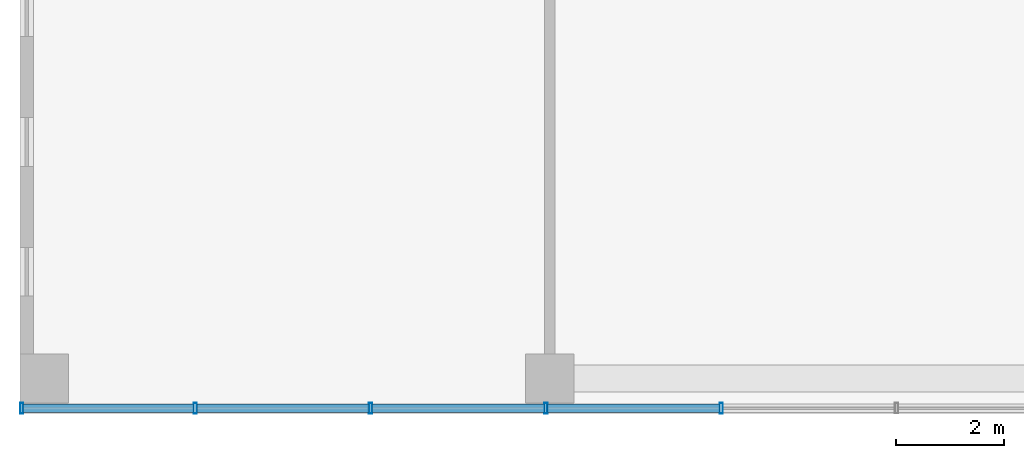
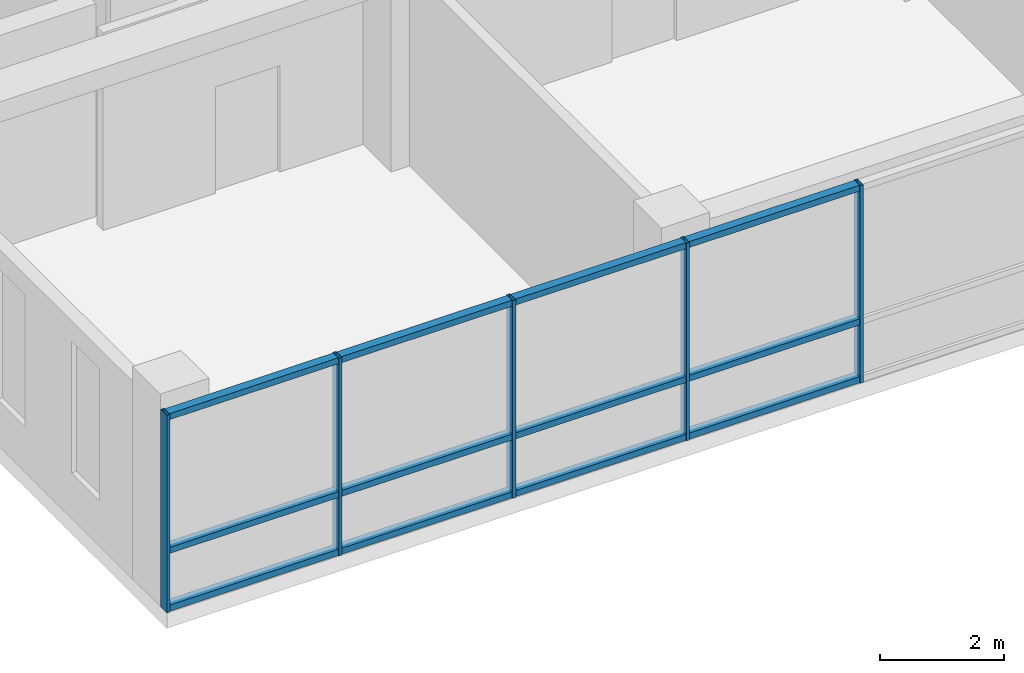
# One storey, part 2 of 36: 17 members, 1 element without a shape of its own.
"""IFC4 building model written with IfcOpenShell, lengths in metres."""

from ifc_helpers import new_model, si_unit, direction, frame, origin, origin_2d, place, context, subcontext, project, spatial, hollow_rectangle, extrude, material, layer, layer_set, material_profile, profile_set, type_object, element, aggregate, save


model = new_model("IFC4")

# Units and contexts
model_context = context("Model", 3, precision=1e-05, world=origin(), true_north=direction((0.0, 1.0)))
body_context = subcontext(model_context, "Body", "Model", "MODEL_VIEW")
ifc_project = project(units=[si_unit("LENGTHUNIT", "METRE"), si_unit("AREAUNIT", "SQUARE_METRE"), si_unit("VOLUMEUNIT", "CUBIC_METRE"), si_unit("PLANEANGLEUNIT", "RADIAN"), si_unit("MASSUNIT", "GRAM", prefix="KILO")], contexts=[model_context])

# Site, building, storey
site_placement = place(None, origin())
site = spatial("IfcSite", under=ifc_project, at=site_placement, CompositionType="ELEMENT")
building_placement = place(site_placement, origin())
building = spatial("IfcBuilding", under=site, at=building_placement, Name="Nzadi Deep Aquarium and Research Tower", CompositionType="ELEMENT")
storey_placement = place(building_placement, frame((0.0, 0.0, 36.10009765625)))
storey = spatial("IfcBuildingStorey", under=building, at=storey_placement, Name="L06", CompositionType="ELEMENT", Elevation=36.10009765625)

# Curtain wall, members
ifc_material_1 = material(Name="Aluminium unitised frame", Category="aluminium")
ifc_layer = layer(ifc_material_1, 0.199951171875)
ifc_layer_set = layer_set([ifc_layer], Name="Aluminium unitised frame")
curtain_wall_type = type_object("IfcCurtainWallType", Name="Curtain wall Unitised 200", PredefinedType="NOTDEFINED", material=ifc_layer_set)
curtain_wall_placement = place(storey_placement, origin())
curtain_wall = element("IfcCurtainWall", 1, at=curtain_wall_placement, inside=storey, type_object=curtain_wall_type, Name="Unitised curtain wall blade A south L06", PredefinedType="NOTDEFINED")
ifc_material_2 = material(Name="Aluminium unitised frame", Category="aluminium")
ifc_material_profile_1 = material_profile(ifc_material_2, hollow_rectangle(XDim=0.199951171875, YDim=0.06005859375, WallThickness=0.0048828125, at=origin_2d()))
ifc_profile_set_1 = profile_set([ifc_material_profile_1], Name="Aluminium unitised frame")
member_type_1 = type_object("IfcMemberType", Name="Mullion 60x200 Unitised", PredefinedType="MULLION", material=ifc_profile_set_1)
member_1_placement = place(storey_placement, frame((-0.16943359375, -0.10009765625, 0.0), z_axis=(0.0, 0.0, 1.0), x_axis=(0.0, 1.0, 0.0)))
member_1 = element("IfcMember", 2, at=member_1_placement, type_object=member_type_1, Name="CW008 mullion 1", PredefinedType="MULLION", context=body_context, shape_type="SweptSolid", body=[
    extrude(hollow_rectangle(XDim=0.199951171875, YDim=0.06005859375, WallThickness=0.0048828125, at=origin_2d()), origin(), (0.0, 0.0, 1.0), 3.89990234375),
])
member_2_placement = place(storey_placement, frame((3.043212890625, -0.10009765625, 0.0), z_axis=(0.0, 0.0, 1.0), x_axis=(0.0, 1.0, 0.0)))
member_2 = element("IfcMember", 3, at=member_2_placement, type_object=member_type_1, Name="CW008 mullion 2", PredefinedType="MULLION", context=body_context, shape_type="SweptSolid", body=[
    extrude(hollow_rectangle(XDim=0.199951171875, YDim=0.06005859375, WallThickness=0.0048828125, at=origin_2d()), origin(), (0.0, 0.0, 1.0), 3.89990234375),
])
member_3_placement = place(storey_placement, frame((6.28662109375, -0.10009765625, 0.0), z_axis=(0.0, 0.0, 1.0), x_axis=(0.0, 1.0, 0.0)))
member_3 = element("IfcMember", 4, at=member_3_placement, type_object=member_type_1, Name="CW008 mullion 3", PredefinedType="MULLION", context=body_context, shape_type="SweptSolid", body=[
    extrude(hollow_rectangle(XDim=0.199951171875, YDim=0.06005859375, WallThickness=0.0048828125, at=origin_2d()), origin(), (0.0, 0.0, 1.0), 3.89990234375),
])
member_4_placement = place(storey_placement, frame((9.530029296875, -0.10009765625, 0.0), z_axis=(0.0, 0.0, 1.0), x_axis=(0.0, 1.0, 0.0)))
member_4 = element("IfcMember", 5, at=member_4_placement, type_object=member_type_1, Name="CW008 mullion 4", PredefinedType="MULLION", context=body_context, shape_type="SweptSolid", body=[
    extrude(hollow_rectangle(XDim=0.199951171875, YDim=0.06005859375, WallThickness=0.0048828125, at=origin_2d()), origin(), (0.0, 0.0, 1.0), 3.89990234375),
])
member_5_placement = place(storey_placement, frame((12.7734375, -0.10009765625, 0.0), z_axis=(0.0, 0.0, 1.0), x_axis=(0.0, 1.0, 0.0)))
member_5 = element("IfcMember", 6, at=member_5_placement, type_object=member_type_1, Name="CW008 mullion 5", PredefinedType="MULLION", context=body_context, shape_type="SweptSolid", body=[
    extrude(hollow_rectangle(XDim=0.199951171875, YDim=0.06005859375, WallThickness=0.0048828125, at=origin_2d()), origin(), (0.0, 0.0, 1.0), 3.89990234375),
])
ifc_material_3 = material(Name="Aluminium unitised frame", Category="aluminium")
ifc_material_profile_2 = material_profile(ifc_material_3, hollow_rectangle(XDim=0.159912109375, YDim=0.1201171875, WallThickness=0.0048828125, at=origin_2d()))
ifc_profile_set_2 = profile_set([ifc_material_profile_2], Name="Aluminium unitised frame")
member_type_2 = type_object("IfcMemberType", Name="Transom 120x160 Unitised", PredefinedType="MULLION", material=ifc_profile_set_2)
member_6_placement = place(storey_placement, frame((-0.139892578125, -0.10009765625, 0.059814453125), z_axis=(1.0, 0.0, 0.0), x_axis=(0.0, 1.0, 0.0)))
member_6 = element("IfcMember", 7, at=member_6_placement, type_object=member_type_2, Name="CW008 transom 1.1", PredefinedType="MULLION", context=body_context, shape_type="SweptSolid", body=[
    extrude(hollow_rectangle(XDim=0.159912109375, YDim=0.1201171875, WallThickness=0.0048828125, at=origin_2d()), origin(), (0.0, 0.0, 1.0), 3.1533203125),
])
member_7_placement = place(storey_placement, frame((-0.139892578125, -0.10009765625, 1.199951171875), z_axis=(1.0, 0.0, 0.0), x_axis=(0.0, 1.0, 0.0)))
member_7 = element("IfcMember", 8, at=member_7_placement, type_object=member_type_2, Name="CW008 transom 1.2", PredefinedType="MULLION", context=body_context, shape_type="SweptSolid", body=[
    extrude(hollow_rectangle(XDim=0.159912109375, YDim=0.1201171875, WallThickness=0.0048828125, at=origin_2d()), origin(), (0.0, 0.0, 1.0), 3.1533203125),
])
member_8_placement = place(storey_placement, frame((-0.139892578125, -0.10009765625, 3.83984375), z_axis=(1.0, 0.0, 0.0), x_axis=(0.0, 1.0, 0.0)))
member_8 = element("IfcMember", 9, at=member_8_placement, type_object=member_type_2, Name="CW008 transom 1.3", PredefinedType="MULLION", context=body_context, shape_type="SweptSolid", body=[
    extrude(hollow_rectangle(XDim=0.159912109375, YDim=0.1201171875, WallThickness=0.0048828125, at=origin_2d()), origin(), (0.0, 0.0, 1.0), 3.1533203125),
])
member_9_placement = place(storey_placement, frame((3.0732421875, -0.10009765625, 0.059814453125), z_axis=(1.0, 0.0, 0.0), x_axis=(0.0, 1.0, 0.0)))
member_9 = element("IfcMember", 10, at=member_9_placement, type_object=member_type_2, Name="CW008 transom 2.1", PredefinedType="MULLION", context=body_context, shape_type="SweptSolid", body=[
    extrude(hollow_rectangle(XDim=0.159912109375, YDim=0.1201171875, WallThickness=0.0048828125, at=origin_2d()), origin(), (0.0, 0.0, 1.0), 3.183349609375),
])
member_10_placement = place(storey_placement, frame((3.0732421875, -0.10009765625, 1.199951171875), z_axis=(1.0, 0.0, 0.0), x_axis=(0.0, 1.0, 0.0)))
member_10 = element("IfcMember", 11, at=member_10_placement, type_object=member_type_2, Name="CW008 transom 2.2", PredefinedType="MULLION", context=body_context, shape_type="SweptSolid", body=[
    extrude(hollow_rectangle(XDim=0.159912109375, YDim=0.1201171875, WallThickness=0.0048828125, at=origin_2d()), origin(), (0.0, 0.0, 1.0), 3.183349609375),
])
member_11_placement = place(storey_placement, frame((3.0732421875, -0.10009765625, 3.83984375), z_axis=(1.0, 0.0, 0.0), x_axis=(0.0, 1.0, 0.0)))
member_11 = element("IfcMember", 12, at=member_11_placement, type_object=member_type_2, Name="CW008 transom 2.3", PredefinedType="MULLION", context=body_context, shape_type="SweptSolid", body=[
    extrude(hollow_rectangle(XDim=0.159912109375, YDim=0.1201171875, WallThickness=0.0048828125, at=origin_2d()), origin(), (0.0, 0.0, 1.0), 3.183349609375),
])
member_12_placement = place(storey_placement, frame((6.316650390625, -0.10009765625, 0.059814453125), z_axis=(1.0, 0.0, 0.0), x_axis=(0.0, 1.0, 0.0)))
member_12 = element("IfcMember", 13, at=member_12_placement, type_object=member_type_2, Name="CW008 transom 3.1", PredefinedType="MULLION", context=body_context, shape_type="SweptSolid", body=[
    extrude(hollow_rectangle(XDim=0.159912109375, YDim=0.1201171875, WallThickness=0.0048828125, at=origin_2d()), origin(), (0.0, 0.0, 1.0), 3.183349609375),
])
member_13_placement = place(storey_placement, frame((6.316650390625, -0.10009765625, 1.199951171875), z_axis=(1.0, 0.0, 0.0), x_axis=(0.0, 1.0, 0.0)))
member_13 = element("IfcMember", 14, at=member_13_placement, type_object=member_type_2, Name="CW008 transom 3.2", PredefinedType="MULLION", context=body_context, shape_type="SweptSolid", body=[
    extrude(hollow_rectangle(XDim=0.159912109375, YDim=0.1201171875, WallThickness=0.0048828125, at=origin_2d()), origin(), (0.0, 0.0, 1.0), 3.183349609375),
])
member_14_placement = place(storey_placement, frame((6.316650390625, -0.10009765625, 3.83984375), z_axis=(1.0, 0.0, 0.0), x_axis=(0.0, 1.0, 0.0)))
member_14 = element("IfcMember", 15, at=member_14_placement, type_object=member_type_2, Name="CW008 transom 3.3", PredefinedType="MULLION", context=body_context, shape_type="SweptSolid", body=[
    extrude(hollow_rectangle(XDim=0.159912109375, YDim=0.1201171875, WallThickness=0.0048828125, at=origin_2d()), origin(), (0.0, 0.0, 1.0), 3.183349609375),
])
member_15_placement = place(storey_placement, frame((9.56005859375, -0.10009765625, 0.059814453125), z_axis=(1.0, 0.0, 0.0), x_axis=(0.0, 1.0, 0.0)))
member_15 = element("IfcMember", 16, at=member_15_placement, type_object=member_type_2, Name="CW008 transom 4.1", PredefinedType="MULLION", context=body_context, shape_type="SweptSolid", body=[
    extrude(hollow_rectangle(XDim=0.159912109375, YDim=0.1201171875, WallThickness=0.0048828125, at=origin_2d()), origin(), (0.0, 0.0, 1.0), 3.183349609375),
])
member_16_placement = place(storey_placement, frame((9.56005859375, -0.10009765625, 1.199951171875), z_axis=(1.0, 0.0, 0.0), x_axis=(0.0, 1.0, 0.0)))
member_16 = element("IfcMember", 17, at=member_16_placement, type_object=member_type_2, Name="CW008 transom 4.2", PredefinedType="MULLION", context=body_context, shape_type="SweptSolid", body=[
    extrude(hollow_rectangle(XDim=0.159912109375, YDim=0.1201171875, WallThickness=0.0048828125, at=origin_2d()), origin(), (0.0, 0.0, 1.0), 3.183349609375),
])
member_17_placement = place(storey_placement, frame((9.56005859375, -0.10009765625, 3.83984375), z_axis=(1.0, 0.0, 0.0), x_axis=(0.0, 1.0, 0.0)))
member_17 = element("IfcMember", 18, at=member_17_placement, type_object=member_type_2, Name="CW008 transom 4.3", PredefinedType="MULLION", context=body_context, shape_type="SweptSolid", body=[
    extrude(hollow_rectangle(XDim=0.159912109375, YDim=0.1201171875, WallThickness=0.0048828125, at=origin_2d()), origin(), (0.0, 0.0, 1.0), 3.183349609375),
])
aggregate(curtain_wall, [member_1, member_2, member_3, member_4, member_5, member_6, member_7, member_8, member_9, member_10, member_11, member_12, member_13, member_14, member_15, member_16, member_17])

save(model, "model.ifc")
